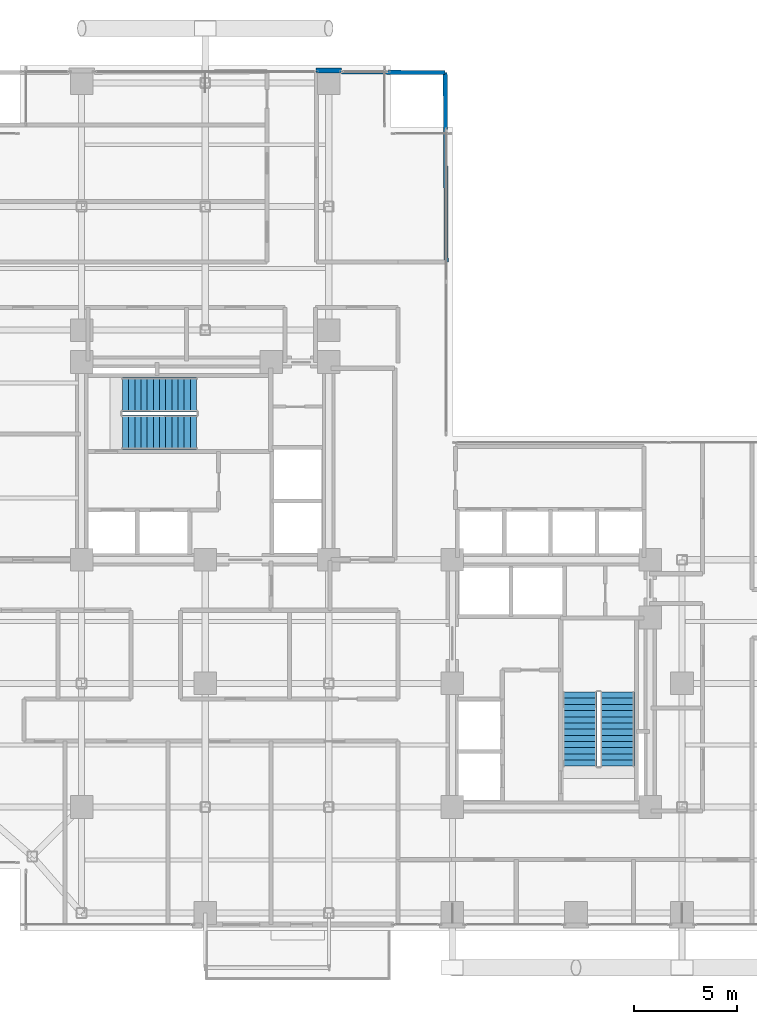
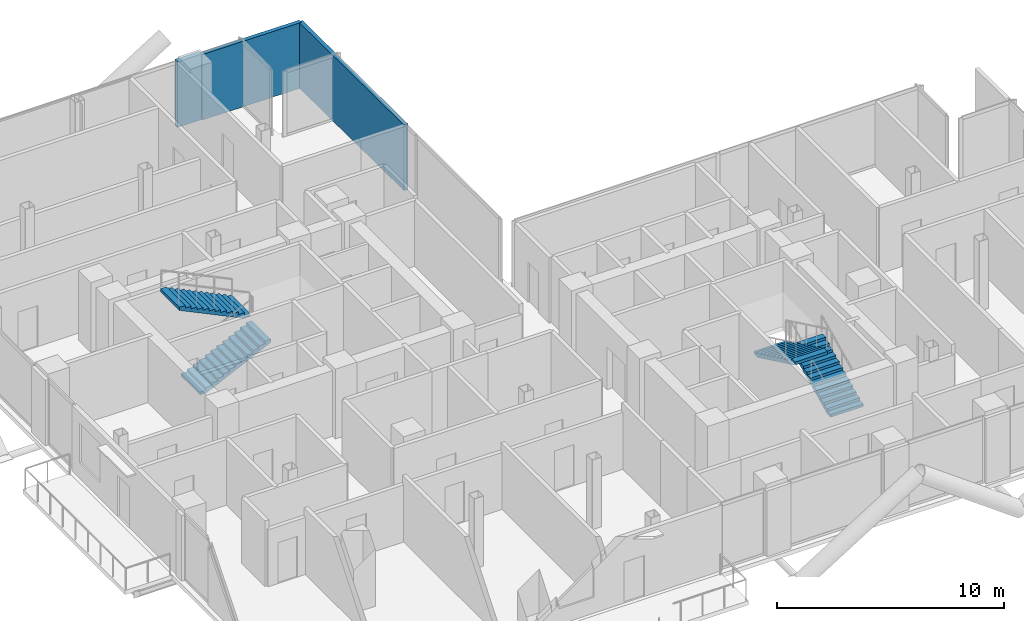
# One storey, part 22 of 24: 4 stair flights, 3 walls, 2 elements without a shape of their own.
"""IFC4 building model written with IfcOpenShell, lengths in metres."""

from ifc_helpers import new_model, si_unit, direction, frame, frame_2d, origin, place, context, subcontext, project, spatial, polyline, rectangle, outline, extrude, material, layer, layer_set, type_object, element, aggregate, save


model = new_model("IFC4")

# Units and contexts
model_context = context("Model", 3, precision=1e-05, world=origin(), true_north=direction((0.0, 1.0)))
body_context = subcontext(model_context, "Body", "Model", "MODEL_VIEW")
ifc_project = project(units=[si_unit("LENGTHUNIT", "METRE"), si_unit("AREAUNIT", "SQUARE_METRE"), si_unit("VOLUMEUNIT", "CUBIC_METRE"), si_unit("PLANEANGLEUNIT", "RADIAN"), si_unit("MASSUNIT", "GRAM", prefix="KILO"), si_unit("THERMODYNAMICTEMPERATUREUNIT", "KELVIN"), si_unit("POWERUNIT", "WATT")], contexts=[model_context])

# Site, building, storey
site_placement = place(None, origin())
site = spatial("IfcSite", under=ifc_project, at=site_placement, CompositionType="ELEMENT")
building_placement = place(site_placement, origin())
building = spatial("IfcBuilding", under=site, at=building_placement, Name="Svarakhadi Broadcast Tower", CompositionType="ELEMENT")
storey_placement = place(building_placement, frame((0.0, 0.0, 115.64990234375)))
storey = spatial("IfcBuildingStorey", under=building, at=storey_placement, Name="L27", CompositionType="ELEMENT", Elevation=115.64990234375)

# Walls
ifc_material_1 = material(Name="Double-Stud Acoustic Studio Partition STC-62", Category="gypsum")
ifc_layer_1 = layer(ifc_material_1, 0.199951171875)
ifc_layer_set_1 = layer_set([ifc_layer_1], Name="Double-Stud Acoustic Studio Partition STC-62")
wall_type_1 = type_object("IfcWallType", Name="Wall_Acoust_200", PredefinedType="PARTITIONING", material=ifc_layer_set_1)
wall_1_placement = place(storey_placement, frame((18.614990234375, 41.690185546875, 0.0), z_axis=(0.0, 0.0, 1.0), x_axis=(0.99996799533, -0.008000519771, 0.0)))
element("IfcWall", 1, at=wall_1_placement, inside=storey, type_object=wall_type_1, Name="L27 Executive Producer Office Wall", PredefinedType="PARTITIONING", context=body_context, shape_type="SweptSolid", body=[
    extrude(rectangle(XDim=5.03515625, YDim=0.199951171875, at=frame_2d((2.517578125, 0.0))), origin(), (0.0, 0.0, 1.0), 3.525146484375),
])
wall_2_placement = place(storey_placement, frame((23.699951171875, 32.449951171875, 0.0), z_axis=(0.0, 0.0, 1.0), x_axis=(-0.005440038388, 0.999985202882, 0.0)))
element("IfcWall", 2, at=wall_2_placement, inside=storey, type_object=wall_type_1, Name="L27 Executive Producer Office Wall", PredefinedType="PARTITIONING", context=body_context, shape_type="SweptSolid", body=[
    extrude(rectangle(XDim=9.2001953125, YDim=0.199951171875, at=frame_2d((4.60009765625, 0.0))), origin(), (0.0, 0.0, 1.0), 3.525146484375),
])
ifc_material_2 = material(Name="Concrete C40/50 (IS 456 M50)", Category="concrete")
ifc_layer_2 = layer(ifc_material_2, 0.239990234375)
ifc_layer_set_2 = layer_set([ifc_layer_2], Name="Concrete C40/50 (IS 456 M50)")
wall_type_2 = type_object("IfcWallType", Name="Wall_Ext_240", PredefinedType="SOLIDWALL", material=ifc_layer_set_2)
wall_3_placement = place(storey_placement, frame((17.385009765625, 41.760009765625, 0.0), z_axis=(0.0, 0.0, 1.0), x_axis=(1.0, 0.0, 0.0)))
element("IfcWall", 3, at=wall_3_placement, inside=storey, type_object=wall_type_2, Name="L27 Perimeter Bronze Spandrel Closure Wall 05", PredefinedType="SOLIDWALL", context=body_context, shape_type="SweptSolid", body=[
    extrude(rectangle(XDim=1.22998046875, YDim=0.239990234375, at=frame_2d((0.614990234375, 0.0))), origin(), (0.0, 0.0, 1.0), 3.525146484375),
])

# Stair, stair flights
stair_type = type_object("IfcStairType", Name="Stair_Exit_Core", PredefinedType="HALF_TURN_STAIR", material=ifc_material_2)
stair_1_placement = place(storey_placement, origin())
stair_1 = element("IfcStair", 4, at=stair_1_placement, inside=storey, type_object=stair_type, Name="L27 West Core Protected Exit Stair ST-01", PredefinedType="HALF_TURN_STAIR")
stair_flight_type = type_object("IfcStairFlightType", Name="Flight_RC_1680", PredefinedType="STRAIGHT", material=ifc_material_2)
stair_flight_1_placement = place(storey_placement, frame((7.97998046875, 24.18994140625, 0.0), z_axis=(0.0, 0.0, 1.0), x_axis=(1.0, 0.0, 0.0)))
stair_flight_1 = element("IfcStairFlight", 5, at=stair_flight_1_placement, type_object=stair_flight_type, Name="ST-01 flight 1", NumberOfRisers=13, NumberOfTreads=12, PredefinedType="STRAIGHT", RiserHeight=0.144230769, TreadLength=0.3, context=body_context, shape_type="SweptSolid", body=[
    extrude(outline(polyline([(0.0, 0.0), (0.0, 0.144287109375), (0.300048828125, 0.144287109375), (0.300048828125, 0.28857421875), (0.60009765625, 0.28857421875), (0.60009765625, 0.4326171875), (0.89990234375, 0.4326171875), (0.89990234375, 0.576904296875), (1.199951171875, 0.576904296875), (1.199951171875, 0.72119140625), (1.5, 0.72119140625), (1.5, 0.865478515625), (1.800048828125, 0.865478515625), (1.800048828125, 1.009521484375), (2.10009765625, 1.009521484375), (2.10009765625, 1.15380859375), (2.39990234375, 1.15380859375), (2.39990234375, 1.298095703125), (2.699951171875, 1.298095703125), (2.699951171875, 1.4423828125), (3.0, 1.4423828125), (3.0, 1.58642578125), (3.300048828125, 1.58642578125), (3.300048828125, 1.730712890625), (3.60009765625, 1.730712890625), (3.60009765625, 1.875), (3.60009765625, 1.564453125), (0.345947265625, 0.0), (0.0, 0.0)])), frame((0.0, 0.830078125, 0.0), z_axis=(0.0, -1.0, 0.0), x_axis=(1.0, 0.0, 0.0)), (0.0, 0.0, 1.0), 1.659912109375),
])
stair_flight_2_placement = place(storey_placement, frame((11.580078125, 26.010009765625, 1.875), z_axis=(0.0, 0.0, 1.0), x_axis=(-1.0, 0.0, 0.0)))
stair_flight_2 = element("IfcStairFlight", 6, at=stair_flight_2_placement, type_object=stair_flight_type, Name="ST-01 flight 2", NumberOfRisers=13, NumberOfTreads=12, PredefinedType="STRAIGHT", RiserHeight=0.144230769, TreadLength=0.3, context=body_context, shape_type="SweptSolid", body=[
    extrude(outline(polyline([(0.0, 0.0), (0.0, 0.144287109375), (0.300048828125, 0.144287109375), (0.300048828125, 0.28857421875), (0.60009765625, 0.28857421875), (0.60009765625, 0.4326171875), (0.89990234375, 0.4326171875), (0.89990234375, 0.576904296875), (1.199951171875, 0.576904296875), (1.199951171875, 0.72119140625), (1.5, 0.72119140625), (1.5, 0.865478515625), (1.800048828125, 0.865478515625), (1.800048828125, 1.009521484375), (2.10009765625, 1.009521484375), (2.10009765625, 1.15380859375), (2.39990234375, 1.15380859375), (2.39990234375, 1.298095703125), (2.699951171875, 1.298095703125), (2.699951171875, 1.4423828125), (3.0, 1.4423828125), (3.0, 1.58642578125), (3.300048828125, 1.58642578125), (3.300048828125, 1.730712890625), (3.60009765625, 1.730712890625), (3.60009765625, 1.875), (3.60009765625, 1.564453125), (0.345947265625, 0.0), (0.0, 0.0)])), frame((0.0, 0.830078125, 0.0), z_axis=(0.0, -1.0, 0.0), x_axis=(1.0, 0.0, 0.0)), (0.0, 0.0, 1.0), 1.659912109375),
])
aggregate(stair_1, [stair_flight_1, stair_flight_2])

stair_2_placement = place(storey_placement, origin())
stair_2 = element("IfcStair", 7, at=stair_2_placement, inside=storey, type_object=stair_type, Name="L27 East Core Protected Exit Stair ST-02", PredefinedType="HALF_TURN_STAIR")
stair_flight_3_placement = place(storey_placement, frame((32.010009765625, 7.97998046875, 0.0), z_axis=(0.0, 0.0, 1.0), x_axis=(0.0, 1.0, 0.0)))
stair_flight_3 = element("IfcStairFlight", 8, at=stair_flight_3_placement, type_object=stair_flight_type, Name="ST-02 flight 1", NumberOfRisers=13, NumberOfTreads=12, PredefinedType="STRAIGHT", RiserHeight=0.144230769, TreadLength=0.3, context=body_context, shape_type="SweptSolid", body=[
    extrude(outline(polyline([(0.0, 0.0), (0.0, 0.144287109375), (0.300048828125, 0.144287109375), (0.300048828125, 0.28857421875), (0.60009765625, 0.28857421875), (0.60009765625, 0.4326171875), (0.89990234375, 0.4326171875), (0.89990234375, 0.576904296875), (1.199951171875, 0.576904296875), (1.199951171875, 0.72119140625), (1.5, 0.72119140625), (1.5, 0.865478515625), (1.800048828125, 0.865478515625), (1.800048828125, 1.009521484375), (2.10009765625, 1.009521484375), (2.10009765625, 1.15380859375), (2.39990234375, 1.15380859375), (2.39990234375, 1.298095703125), (2.699951171875, 1.298095703125), (2.699951171875, 1.4423828125), (3.0, 1.4423828125), (3.0, 1.58642578125), (3.300048828125, 1.58642578125), (3.300048828125, 1.730712890625), (3.60009765625, 1.730712890625), (3.60009765625, 1.875), (3.60009765625, 1.564453125), (0.345947265625, 0.0), (0.0, 0.0)])), frame((0.0, 0.830078125, 0.0), z_axis=(0.0, -1.0, 0.0), x_axis=(1.0, 0.0, 0.0)), (0.0, 0.0, 1.0), 1.659912109375),
])
stair_flight_4_placement = place(storey_placement, frame((30.18994140625, 11.580078125, 1.875), z_axis=(0.0, 0.0, 1.0), x_axis=(0.0, -1.0, 0.0)))
stair_flight_4 = element("IfcStairFlight", 9, at=stair_flight_4_placement, type_object=stair_flight_type, Name="ST-02 flight 2", NumberOfRisers=13, NumberOfTreads=12, PredefinedType="STRAIGHT", RiserHeight=0.144230769, TreadLength=0.3, context=body_context, shape_type="SweptSolid", body=[
    extrude(outline(polyline([(0.0, 0.0), (0.0, 0.144287109375), (0.300048828125, 0.144287109375), (0.300048828125, 0.28857421875), (0.60009765625, 0.28857421875), (0.60009765625, 0.4326171875), (0.89990234375, 0.4326171875), (0.89990234375, 0.576904296875), (1.199951171875, 0.576904296875), (1.199951171875, 0.72119140625), (1.5, 0.72119140625), (1.5, 0.865478515625), (1.800048828125, 0.865478515625), (1.800048828125, 1.009521484375), (2.10009765625, 1.009521484375), (2.10009765625, 1.15380859375), (2.39990234375, 1.15380859375), (2.39990234375, 1.298095703125), (2.699951171875, 1.298095703125), (2.699951171875, 1.4423828125), (3.0, 1.4423828125), (3.0, 1.58642578125), (3.300048828125, 1.58642578125), (3.300048828125, 1.730712890625), (3.60009765625, 1.730712890625), (3.60009765625, 1.875), (3.60009765625, 1.564453125), (0.345947265625, 0.0), (0.0, 0.0)])), frame((0.0, 0.830078125, 0.0), z_axis=(0.0, -1.0, 0.0), x_axis=(1.0, 0.0, 0.0)), (0.0, 0.0, 1.0), 1.659912109375),
])
aggregate(stair_2, [stair_flight_3, stair_flight_4])

save(model, "model.ifc")
